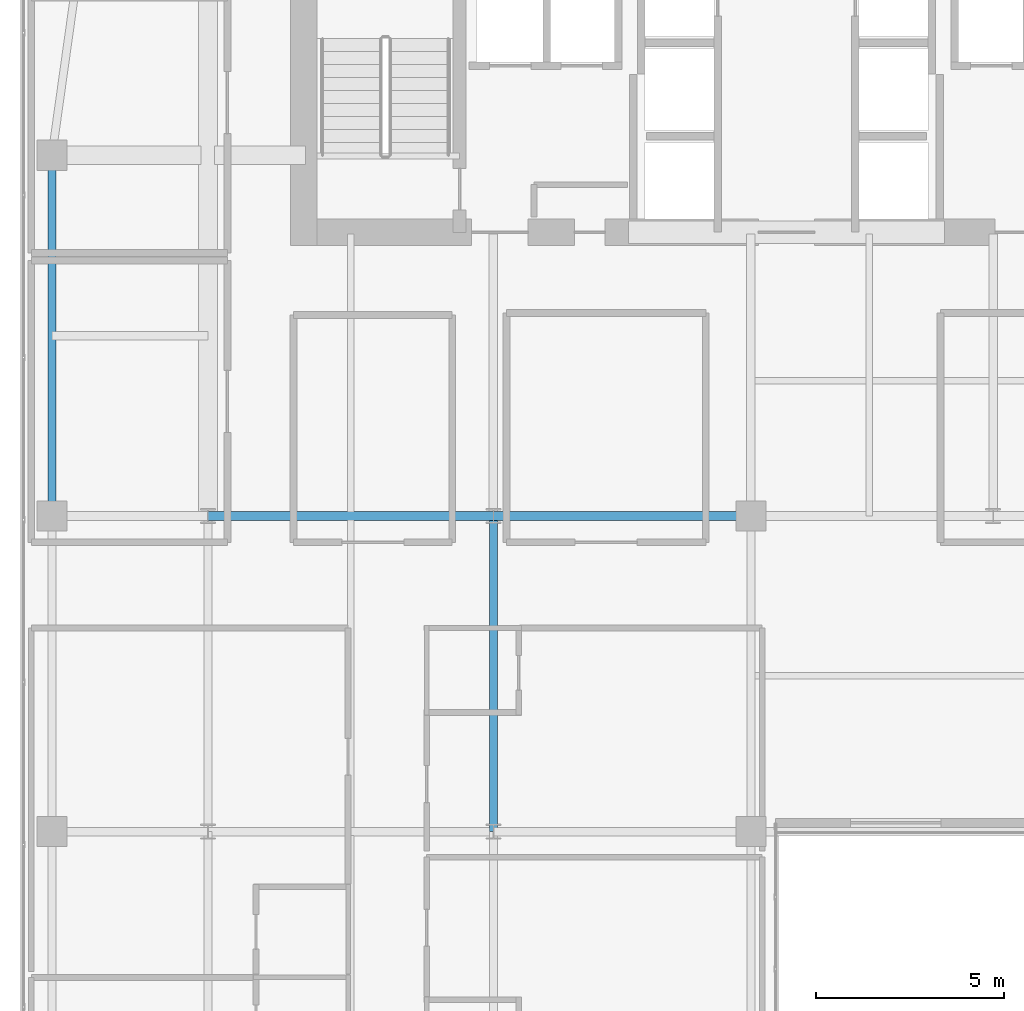
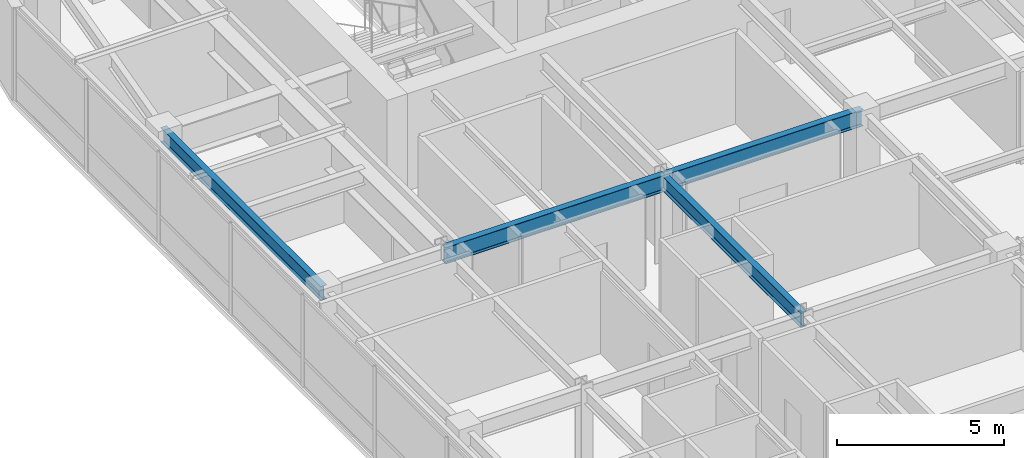
# One storey, part 10 of 28: 4 beams.
"""IFC4 building model written with IfcOpenShell, lengths in metres."""

from ifc_helpers import new_model, si_unit, direction, frame, origin, origin_2d, place, context, subcontext, project, spatial, i_section, extrude, source, transform, mapped, material, material_profile, profile_set, type_object, type_shapes, element, save


model = new_model("IFC4")

# Units and contexts
model_context = context("Model", 3, precision=1e-05, world=origin(), true_north=direction((0.0, 1.0)))
body_context = subcontext(model_context, "Body", "Model", "MODEL_VIEW")
ifc_project = project(units=[si_unit("LENGTHUNIT", "METRE"), si_unit("AREAUNIT", "SQUARE_METRE"), si_unit("VOLUMEUNIT", "CUBIC_METRE"), si_unit("PLANEANGLEUNIT", "RADIAN"), si_unit("MASSUNIT", "GRAM", prefix="KILO")], contexts=[model_context])

# Site, building, storey
site_placement = place(None, origin())
site = spatial("IfcSite", under=ifc_project, at=site_placement, CompositionType="ELEMENT")
building_placement = place(site_placement, origin())
building = spatial("IfcBuilding", under=site, at=building_placement, Name="Tolvann Quenvar Hotel", CompositionType="ELEMENT")
storey_placement = place(building_placement, frame((0.0, 0.0, 198.199951171875)))
storey = spatial("IfcBuildingStorey", under=building, at=storey_placement, Name="L52", CompositionType="ELEMENT", Elevation=198.199951171875)

# Beams
ifc_material = material(Name="Steel Grade 350", Category="steel")
ifc_material_profile_1 = material_profile(ifc_material, i_section(OverallWidth=0.208984375, OverallDepth=0.532958984375, WebThickness=0.01025390625, FlangeThickness=0.015625, FilletRadius=0.013916015625, at=origin_2d()), Name="530UB92")
ifc_profile_set_1 = profile_set([ifc_material_profile_1], Name="Steel Grade 350")
beam_type_1 = type_object("IfcBeamType", Name="BM_GIRD_530UB92", PredefinedType="BEAM", material=ifc_profile_set_1)
shared_shape_1 = source(origin(), body_context, "Body", "SweptSolid", [
    extrude(i_section(OverallWidth=0.208984375, OverallDepth=0.532958984375, WebThickness=0.01025390625, FlangeThickness=0.015625, FilletRadius=0.013916015625, at=origin_2d()), origin(), (0.0, 0.0, 1.0), 8.39990234375),
])
type_shapes(beam_type_1, [shared_shape_1])
beam_1_placement = place(storey_placement, frame((15.199951171875, 16.0, 3.103515625), z_axis=(0.0, 1.0, 0.0), x_axis=(-1.0, 0.0, 0.0)))
element("IfcBeam", 1, at=beam_1_placement, inside=storey, type_object=beam_type_1, Name="BM-L52-NS-D4-D5", PredefinedType="BEAM", context=body_context, shape_type="MappedRepresentation", body=[
    mapped(shared_shape_1, transform((0.0, 0.0, 0.0), x_axis=(1.0, 0.0, 0.0), y_axis=(0.0, 1.0, 0.0), z_axis=(0.0, 0.0, 1.0), scale=1.0)),
])
ifc_material_profile_2 = material_profile(ifc_material, i_section(OverallWidth=0.208984375, OverallDepth=0.528076171875, WebThickness=0.009521484375, FlangeThickness=0.01318359375, FilletRadius=0.013916015625, at=origin_2d()), Name="530UB82")
ifc_profile_set_2 = profile_set([ifc_material_profile_2], Name="Steel Grade 350")
beam_type_2 = type_object("IfcBeamType", Name="BM_SPAND_530UB82", PredefinedType="SPANDREL", material=ifc_profile_set_2)
shared_shape_2 = source(origin(), body_context, "Body", "SweptSolid", [
    extrude(i_section(OverallWidth=0.208984375, OverallDepth=0.528076171875, WebThickness=0.009521484375, FlangeThickness=0.01318359375, FilletRadius=0.013916015625, at=origin_2d()), origin(), (0.0, 0.0, 1.0), 9.60009765625),
])
type_shapes(beam_type_2, [shared_shape_2])
beam_2_placement = place(storey_placement, frame((3.449951171875, 24.39990234375, 3.10595703125), z_axis=(0.0, 1.0, 0.0), x_axis=(-1.0, 0.0, 0.0)))
element("IfcBeam", 2, at=beam_2_placement, inside=storey, type_object=beam_type_2, Name="BM-L52-FLK-W1", PredefinedType="SPANDREL", context=body_context, shape_type="MappedRepresentation", body=[
    mapped(shared_shape_2, transform((0.0, 0.0, 0.0), x_axis=(1.0, 0.0, 0.0), y_axis=(0.0, 1.0, 0.0), z_axis=(0.0, 0.0, 1.0), scale=1.0)),
])
ifc_material_profile_3 = material_profile(ifc_material, i_section(OverallWidth=0.22802734375, OverallDepth=0.60205078125, WebThickness=0.010498046875, FlangeThickness=0.014892578125, FilletRadius=0.013916015625, at=origin_2d()), Name="610UB101")
ifc_profile_set_3 = profile_set([ifc_material_profile_3], Name="Steel Grade 350")
beam_type_3 = type_object("IfcBeamType", Name="BM_GIRD_610UB101", PredefinedType="BEAM", material=ifc_profile_set_3)
shared_shape_3 = source(origin(), body_context, "Body", "SweptSolid", [
    extrude(i_section(OverallWidth=0.22802734375, OverallDepth=0.60205078125, WebThickness=0.010498046875, FlangeThickness=0.014892578125, FilletRadius=0.013916015625, at=origin_2d()), origin(), (0.0, 0.0, 1.0), 7.599853515625),
])
beam_3_placement = place(storey_placement, frame((7.60009765625, 24.39990234375, 3.069091796875), z_axis=(1.0, 0.0, 0.0), x_axis=(0.0, 1.0, 0.0)))
element("IfcBeam", 3, at=beam_3_placement, inside=storey, type_object=beam_type_3, Name="BM-L52-EW-5-C5-D5", PredefinedType="BEAM", context=body_context, shape_type="MappedRepresentation", body=[
    mapped(shared_shape_3, transform((0.0, 0.0, 0.0), x_axis=(1.0, 0.0, 0.0), y_axis=(0.0, 1.0, 0.0), z_axis=(0.0, 0.0, 1.0), scale=1.0)),
])
shared_shape_4 = source(origin(), body_context, "Body", "SweptSolid", [
    extrude(i_section(OverallWidth=0.22802734375, OverallDepth=0.60205078125, WebThickness=0.010498046875, FlangeThickness=0.014892578125, FilletRadius=0.013916015625, at=origin_2d()), origin(), (0.0, 0.0, 1.0), 6.85009765625),
])
type_shapes(beam_type_3, [shared_shape_3, shared_shape_4])
beam_4_placement = place(storey_placement, frame((15.199951171875, 24.39990234375, 3.069091796875), z_axis=(1.0, 0.0, 0.0), x_axis=(0.0, 1.0, 0.0)))
element("IfcBeam", 4, at=beam_4_placement, inside=storey, type_object=beam_type_3, Name="BM-L52-EW-5-D5-E5", PredefinedType="BEAM", context=body_context, shape_type="MappedRepresentation", body=[
    mapped(shared_shape_4, transform((0.0, 0.0, 0.0), x_axis=(1.0, 0.0, 0.0), y_axis=(0.0, 1.0, 0.0), z_axis=(0.0, 0.0, 1.0), scale=1.0)),
])

save(model, "model.ifc")
